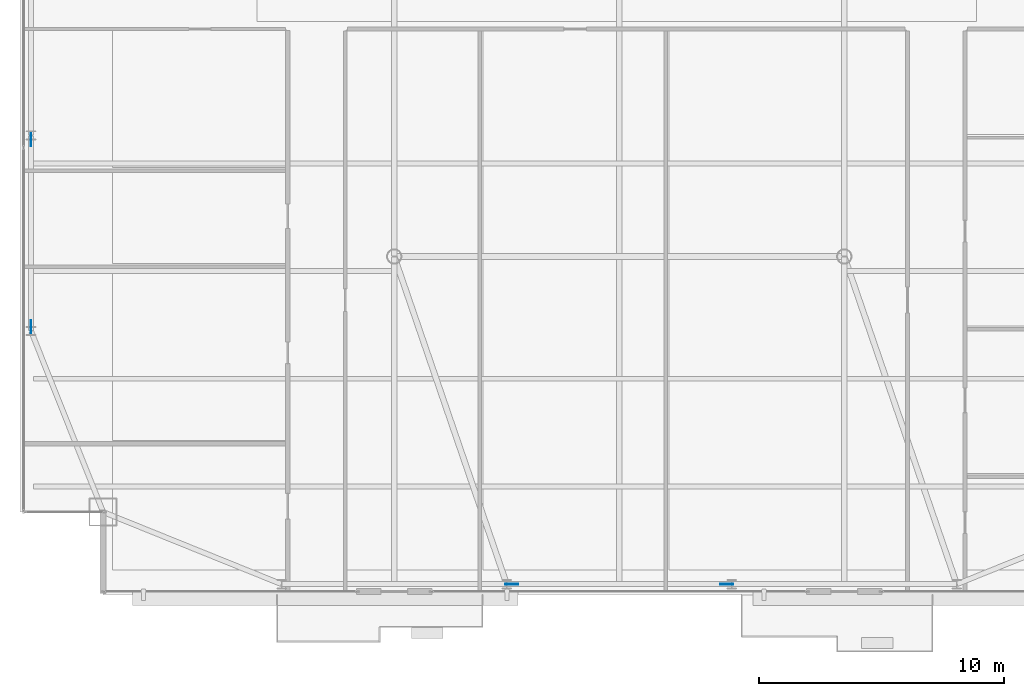
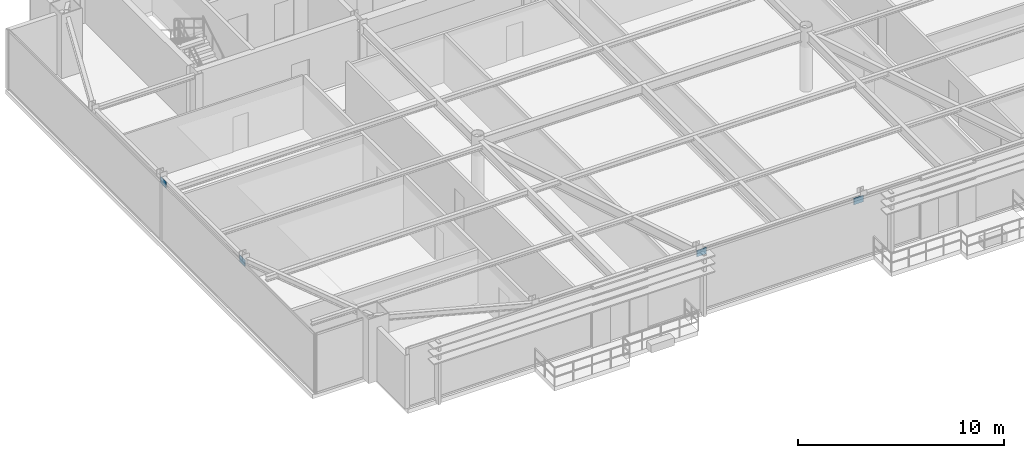
# One storey, part 24 of 30: 4 plates.
"""IFC4 building model written with IfcOpenShell, lengths in metres."""

from ifc_helpers import new_model, si_unit, direction, frame, origin, origin_2d, place, context, subcontext, project, spatial, rectangle, extrude, source, transform, mapped, material, layer, layer_set, type_object, type_shapes, element, save


model = new_model("IFC4")

# Units and contexts
model_context = context("Model", 3, precision=1e-05, world=origin(), true_north=direction((0.0, 1.0)))
body_context = subcontext(model_context, "Body", "Model", "MODEL_VIEW")
ifc_project = project(units=[si_unit("LENGTHUNIT", "METRE"), si_unit("AREAUNIT", "SQUARE_METRE"), si_unit("VOLUMEUNIT", "CUBIC_METRE"), si_unit("PLANEANGLEUNIT", "RADIAN"), si_unit("MASSUNIT", "GRAM", prefix="KILO")], contexts=[model_context])

# Site, building, storey
site_placement = place(None, origin())
site = spatial("IfcSite", under=ifc_project, at=site_placement, CompositionType="ELEMENT")
building_placement = place(site_placement, origin())
building = spatial("IfcBuilding", under=site, at=building_placement, Name="Varnel Quay Broadcast Tower", CompositionType="ELEMENT")
storey_placement = place(building_placement, frame((0.0, 0.0, 211.199951171875)))
storey = spatial("IfcBuildingStorey", under=building, at=storey_placement, Name="L52", CompositionType="ELEMENT", Elevation=211.199951171875)

# Plates
ifc_material = material(Name="Structural Steel CSA G40.21 350WT", Category="steel")
ifc_layer = layer(ifc_material, 0.031982421875, Name="Structural Steel CSA G40.21 350WT")
ifc_layer_set = layer_set([ifc_layer], Name="Structural Steel CSA G40.21 350WT")
plate_type = type_object("IfcPlateType", Name="Plate_EndCap", PredefinedType="USERDEFINED", material=ifc_layer_set)
shared_shape = source(origin(), body_context, "Body", "SweptSolid", [
    extrude(rectangle(XDim=0.5400390625, YDim=0.031982421875, at=origin_2d()), origin(), (0.0, 0.0, 1.0), 0.3798828125),
])
type_shapes(plate_type, [shared_shape])
for number, where, z_axis, x_axis, name in (
    (1, (38.400390625, 10.64990234375, 3.0166015625), (0.0, 0.0, 1.0), (1.0, 0.0, 0.0), "Zone 4 Mega-Brace S-C1T1 Diag A End Connection Plate P1"),
    (2, (29.599609375, 10.64990234375, 3.0166015625), (0.0, 0.0, 1.0), (1.0, 0.0, 0.0), "Zone 4 Mega-Brace S-C1T1 Diag B2 End Connection Plate P1"),
    (3, (9.949951171875, 28.8203125, 3.00537109375), (0.0, 0.0, 1.0), (0.0, 1.0, 0.0), "Zone 4 Mega-Brace W-FT1 Diag A End Connection Plate P1"),
    (4, (9.949951171875, 21.1796875, 3.00537109375), (0.0, 0.0, 1.0), (0.0, 1.0, 0.0), "Zone 4 Mega-Brace W-FT1 Diag B2 End Connection Plate P1"),
):
    element("IfcPlate", number, at=place(storey_placement, frame(where, z_axis=z_axis, x_axis=x_axis)), inside=storey, type_object=plate_type, Name=name, ObjectType="CAP_PLATE", PredefinedType="USERDEFINED", context=body_context, shape_type="MappedRepresentation", body=[
        mapped(shared_shape, transform((0.0, 0.0, 0.0), x_axis=(1.0, 0.0, 0.0), y_axis=(0.0, 1.0, 0.0), z_axis=(0.0, 0.0, 1.0), scale=1.0)),
    ])

save(model, "model.ifc")
